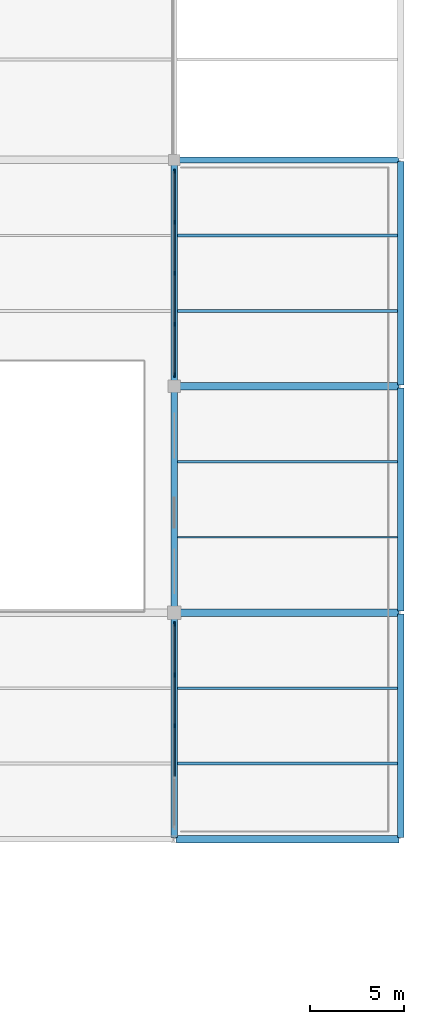
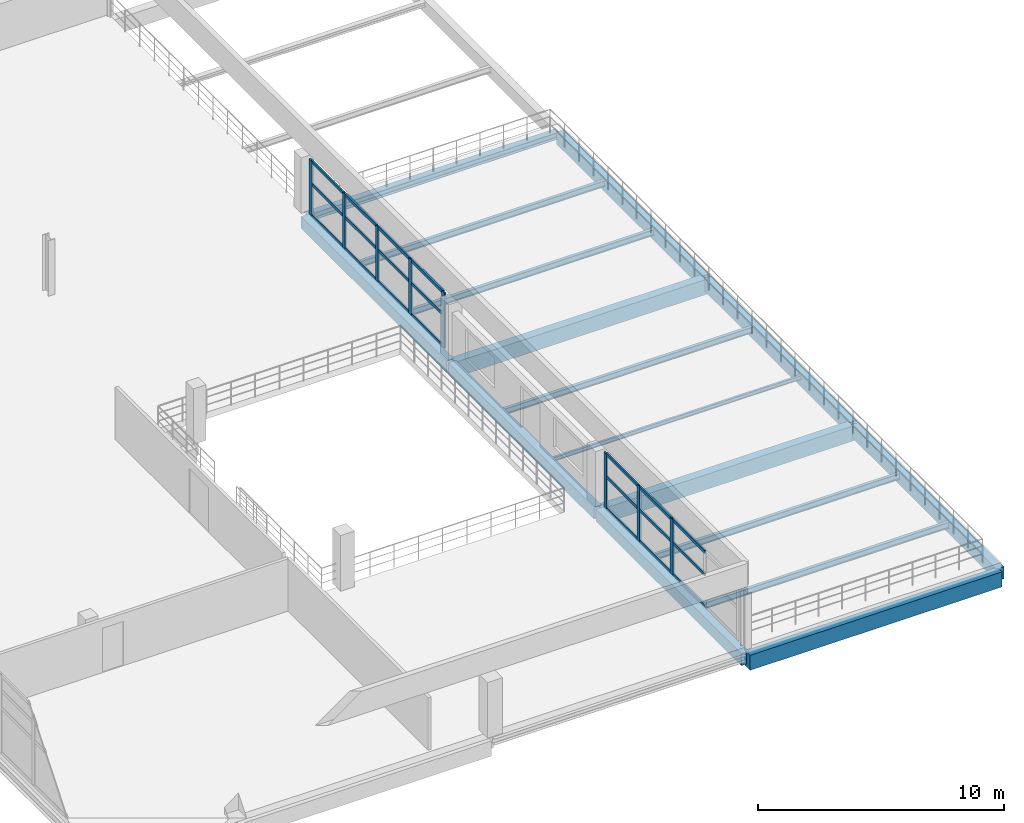
# One storey, part 48 of 89: 29 members, 16 beams, 2 elements without a shape of their own.
"""IFC4 building model written with IfcOpenShell, lengths in metres."""

from ifc_helpers import new_model, si_unit, direction, frame, origin, origin_2d, place, context, subcontext, project, spatial, rectangle, i_section, extrude, material, material_profile, profile_set, type_object, element, aggregate, save


model = new_model("IFC4")

# Units and contexts
model_context = context("Model", 3, precision=1e-05, world=origin(), true_north=direction((0.0, 1.0)))
body_context = subcontext(model_context, "Body", "Model", "MODEL_VIEW")
ifc_project = project(units=[si_unit("LENGTHUNIT", "METRE"), si_unit("AREAUNIT", "SQUARE_METRE"), si_unit("VOLUMEUNIT", "CUBIC_METRE"), si_unit("PLANEANGLEUNIT", "RADIAN"), si_unit("MASSUNIT", "GRAM", prefix="KILO"), si_unit("THERMODYNAMICTEMPERATUREUNIT", "KELVIN"), si_unit("POWERUNIT", "WATT")], contexts=[model_context])

# Site, building, storey
site_placement = place(None, origin())
site = spatial("IfcSite", under=ifc_project, at=site_placement, CompositionType="ELEMENT")
building_placement = place(site_placement, origin())
building = spatial("IfcBuilding", under=site, at=building_placement, Name="Solmara Park Aquatics Centre", CompositionType="ELEMENT")
storey_placement = place(building_placement, frame((0.0, 0.0, 5.39990234375)))
storey = spatial("IfcBuildingStorey", under=building, at=storey_placement, Name="L01", CompositionType="ELEMENT", Elevation=5.39990234375)

# Curtain wall, members
ifc_material_1 = material(Name="Anodised Aluminium Curtain Wall Framing", Category="aluminium")
curtain_wall_type = type_object("IfcCurtainWallType", Name="ARC-CW-SYS06", PredefinedType="USERDEFINED", material=ifc_material_1)
curtain_wall_1_placement = place(storey_placement, origin())
curtain_wall_1 = element("IfcCurtainWall", 1, at=curtain_wall_1_placement, inside=storey, type_object=curtain_wall_type, Name="Curtain Wall CW-092", ObjectType="CURTAIN WALL", PredefinedType="USERDEFINED")
ifc_material_2 = material(Name="Anodised Aluminium Alloy 6063-T6", Category="aluminium")
ifc_material_profile_1 = material_profile(ifc_material_2, rectangle(XDim=0.074951171875, YDim=0.219970703125, at=origin_2d()), Name="ALU MULLION 75x220")
ifc_profile_set_1 = profile_set([ifc_material_profile_1], Name="Anodised Aluminium Alloy 6063-T6")
member_type_1 = type_object("IfcMemberType", Name="ARC-CWM-75x220", PredefinedType="MULLION", material=ifc_profile_set_1)
member_1_placement = place(storey_placement, frame((192.0, 30.60009765625, 0.0), z_axis=(0.0, 0.0, 1.0), x_axis=(1.0, 0.0, 0.0)))
member_1 = element("IfcMember", 2, at=member_1_placement, type_object=member_type_1, Name="CW-092 mullion 3", PredefinedType="MULLION", context=body_context, shape_type="SweptSolid", body=[
    extrude(rectangle(XDim=0.074951171875, YDim=0.219970703125, at=origin_2d()), origin(), (0.0, 0.0, 1.0), 2.75),
])
member_2_placement = place(storey_placement, frame((192.0, 33.300048828125, 0.0), z_axis=(0.0, 0.0, 1.0), x_axis=(1.0, 0.0, 0.0)))
member_2 = element("IfcMember", 3, at=member_2_placement, type_object=member_type_1, Name="CW-092 mullion 4", PredefinedType="MULLION", context=body_context, shape_type="SweptSolid", body=[
    extrude(rectangle(XDim=0.074951171875, YDim=0.219970703125, at=origin_2d()), origin(), (0.0, 0.0, 1.0), 2.75),
])
member_3_placement = place(storey_placement, frame((192.0, 36.0, 0.0), z_axis=(0.0, 0.0, 1.0), x_axis=(1.0, 0.0, 0.0)))
member_3 = element("IfcMember", 4, at=member_3_placement, type_object=member_type_1, Name="CW-092 mullion 5", PredefinedType="MULLION", context=body_context, shape_type="SweptSolid", body=[
    extrude(rectangle(XDim=0.074951171875, YDim=0.219970703125, at=origin_2d()), origin(), (0.0, 0.0, 1.0), 2.75),
])

curtain_wall_2_placement = place(storey_placement, origin())
curtain_wall_2 = element("IfcCurtainWall", 5, at=curtain_wall_2_placement, inside=storey, type_object=curtain_wall_type, Name="Curtain Wall CW-094", ObjectType="CURTAIN WALL", PredefinedType="USERDEFINED")
member_4_placement = place(storey_placement, frame((192.0, 49.199951171875, 0.0), z_axis=(0.0, 0.0, 1.0), x_axis=(1.0, 0.0, 0.0)))
member_4 = element("IfcMember", 6, at=member_4_placement, type_object=member_type_1, Name="CW-094 mullion 1", PredefinedType="MULLION", context=body_context, shape_type="SweptSolid", body=[
    extrude(rectangle(XDim=0.074951171875, YDim=0.219970703125, at=origin_2d()), origin(), (0.0, 0.0, 1.0), 2.75),
])
member_5_placement = place(storey_placement, frame((192.0, 51.89990234375, 0.0), z_axis=(0.0, 0.0, 1.0), x_axis=(1.0, 0.0, 0.0)))
member_5 = element("IfcMember", 7, at=member_5_placement, type_object=member_type_1, Name="CW-094 mullion 2", PredefinedType="MULLION", context=body_context, shape_type="SweptSolid", body=[
    extrude(rectangle(XDim=0.074951171875, YDim=0.219970703125, at=origin_2d()), origin(), (0.0, 0.0, 1.0), 2.75),
])
member_6_placement = place(storey_placement, frame((192.0, 54.60009765625, 0.0), z_axis=(0.0, 0.0, 1.0), x_axis=(1.0, 0.0, 0.0)))
member_6 = element("IfcMember", 8, at=member_6_placement, type_object=member_type_1, Name="CW-094 mullion 3", PredefinedType="MULLION", context=body_context, shape_type="SweptSolid", body=[
    extrude(rectangle(XDim=0.074951171875, YDim=0.219970703125, at=origin_2d()), origin(), (0.0, 0.0, 1.0), 2.75),
])
member_7_placement = place(storey_placement, frame((192.0, 57.300048828125, 0.0), z_axis=(0.0, 0.0, 1.0), x_axis=(1.0, 0.0, 0.0)))
member_7 = element("IfcMember", 9, at=member_7_placement, type_object=member_type_1, Name="CW-094 mullion 4", PredefinedType="MULLION", context=body_context, shape_type="SweptSolid", body=[
    extrude(rectangle(XDim=0.074951171875, YDim=0.219970703125, at=origin_2d()), origin(), (0.0, 0.0, 1.0), 2.75),
])
member_8_placement = place(storey_placement, frame((192.0, 60.0, 0.0), z_axis=(0.0, 0.0, 1.0), x_axis=(1.0, 0.0, 0.0)))
member_8 = element("IfcMember", 10, at=member_8_placement, type_object=member_type_1, Name="CW-094 mullion 5", PredefinedType="MULLION", context=body_context, shape_type="SweptSolid", body=[
    extrude(rectangle(XDim=0.074951171875, YDim=0.219970703125, at=origin_2d()), origin(), (0.0, 0.0, 1.0), 2.75),
])

# Member
ifc_material_profile_2 = material_profile(ifc_material_2, rectangle(XDim=0.074951171875, YDim=0.14990234375, at=origin_2d()), Name="ALU TRANSOM 75x150")
ifc_profile_set_2 = profile_set([ifc_material_profile_2], Name="Anodised Aluminium Alloy 6063-T6")
member_type_2 = type_object("IfcMemberType", Name="ARC-CWT-75x150", PredefinedType="USERDEFINED", material=ifc_profile_set_2)
member_9_placement = place(storey_placement, frame((192.0, 27.919921875, 0.0400390625), z_axis=(0.0, 1.0, 0.0), x_axis=(-1.0, 0.0, 0.0)))
member_9 = element("IfcMember", 11, at=member_9_placement, type_object=member_type_2, Name="CW-092 transom 4", ObjectType="TRANSOM", PredefinedType="USERDEFINED", context=body_context, shape_type="SweptSolid", body=[
    extrude(rectangle(XDim=0.074951171875, YDim=0.14990234375, at=origin_2d()), origin(), (0.0, 0.0, 1.0), 2.6201171875),
])

member_10_placement = place(storey_placement, frame((192.0, 27.919921875, 1.59521484375), z_axis=(0.0, 1.0, 0.0), x_axis=(-1.0, 0.0, 0.0)))
member_10 = element("IfcMember", 12, at=member_10_placement, type_object=member_type_2, Name="CW-092 transom 5", ObjectType="TRANSOM", PredefinedType="USERDEFINED", context=body_context, shape_type="SweptSolid", body=[
    extrude(rectangle(XDim=0.074951171875, YDim=0.14990234375, at=origin_2d()), origin(), (0.0, 0.0, 1.0), 2.6201171875),
])

member_11_placement = place(storey_placement, frame((192.0, 27.919921875, 2.710205078125), z_axis=(0.0, 1.0, 0.0), x_axis=(-1.0, 0.0, 0.0)))
member_11 = element("IfcMember", 13, at=member_11_placement, type_object=member_type_2, Name="CW-092 transom 6", ObjectType="TRANSOM", PredefinedType="USERDEFINED", context=body_context, shape_type="SweptSolid", body=[
    extrude(rectangle(XDim=0.074951171875, YDim=0.14990234375, at=origin_2d()), origin(), (0.0, 0.0, 1.0), 2.6201171875),
])

member_12_placement = place(storey_placement, frame((192.0, 30.6201171875, 0.0400390625), z_axis=(0.0, 1.0, 0.0), x_axis=(-1.0, 0.0, 0.0)))
member_12 = element("IfcMember", 14, at=member_12_placement, type_object=member_type_2, Name="CW-092 transom 7", ObjectType="TRANSOM", PredefinedType="USERDEFINED", context=body_context, shape_type="SweptSolid", body=[
    extrude(rectangle(XDim=0.074951171875, YDim=0.14990234375, at=origin_2d()), origin(), (0.0, 0.0, 1.0), 2.619873046875),
])

member_13_placement = place(storey_placement, frame((192.0, 30.6201171875, 1.59521484375), z_axis=(0.0, 1.0, 0.0), x_axis=(-1.0, 0.0, 0.0)))
member_13 = element("IfcMember", 15, at=member_13_placement, type_object=member_type_2, Name="CW-092 transom 8", ObjectType="TRANSOM", PredefinedType="USERDEFINED", context=body_context, shape_type="SweptSolid", body=[
    extrude(rectangle(XDim=0.074951171875, YDim=0.14990234375, at=origin_2d()), origin(), (0.0, 0.0, 1.0), 2.619873046875),
])

member_14_placement = place(storey_placement, frame((192.0, 30.6201171875, 2.710205078125), z_axis=(0.0, 1.0, 0.0), x_axis=(-1.0, 0.0, 0.0)))
member_14 = element("IfcMember", 16, at=member_14_placement, type_object=member_type_2, Name="CW-092 transom 9", ObjectType="TRANSOM", PredefinedType="USERDEFINED", context=body_context, shape_type="SweptSolid", body=[
    extrude(rectangle(XDim=0.074951171875, YDim=0.14990234375, at=origin_2d()), origin(), (0.0, 0.0, 1.0), 2.619873046875),
])

member_15_placement = place(storey_placement, frame((192.0, 33.320068359375, 0.0400390625), z_axis=(0.0, 1.0, 0.0), x_axis=(-1.0, 0.0, 0.0)))
member_15 = element("IfcMember", 17, at=member_15_placement, type_object=member_type_2, Name="CW-092 transom 10", ObjectType="TRANSOM", PredefinedType="USERDEFINED", context=body_context, shape_type="SweptSolid", body=[
    extrude(rectangle(XDim=0.074951171875, YDim=0.14990234375, at=origin_2d()), origin(), (0.0, 0.0, 1.0), 2.619873046875),
])

member_16_placement = place(storey_placement, frame((192.0, 33.320068359375, 1.59521484375), z_axis=(0.0, 1.0, 0.0), x_axis=(-1.0, 0.0, 0.0)))
member_16 = element("IfcMember", 18, at=member_16_placement, type_object=member_type_2, Name="CW-092 transom 11", ObjectType="TRANSOM", PredefinedType="USERDEFINED", context=body_context, shape_type="SweptSolid", body=[
    extrude(rectangle(XDim=0.074951171875, YDim=0.14990234375, at=origin_2d()), origin(), (0.0, 0.0, 1.0), 2.619873046875),
])

member_17_placement = place(storey_placement, frame((192.0, 33.320068359375, 2.710205078125), z_axis=(0.0, 1.0, 0.0), x_axis=(-1.0, 0.0, 0.0)))
member_17 = element("IfcMember", 19, at=member_17_placement, type_object=member_type_2, Name="CW-092 transom 12", ObjectType="TRANSOM", PredefinedType="USERDEFINED", context=body_context, shape_type="SweptSolid", body=[
    extrude(rectangle(XDim=0.074951171875, YDim=0.14990234375, at=origin_2d()), origin(), (0.0, 0.0, 1.0), 2.619873046875),
])

aggregate(curtain_wall_1, [member_1, member_2, member_3, member_9, member_10, member_11, member_12, member_13, member_14, member_15, member_16, member_17])

member_18_placement = place(storey_placement, frame((192.0, 49.219970703125, 0.0400390625), z_axis=(0.0, 1.0, 0.0), x_axis=(-1.0, 0.0, 0.0)))
member_18 = element("IfcMember", 20, at=member_18_placement, type_object=member_type_2, Name="CW-094 transom 1", ObjectType="TRANSOM", PredefinedType="USERDEFINED", context=body_context, shape_type="SweptSolid", body=[
    extrude(rectangle(XDim=0.074951171875, YDim=0.14990234375, at=origin_2d()), origin(), (0.0, 0.0, 1.0), 2.6201171875),
])

member_19_placement = place(storey_placement, frame((192.0, 49.219970703125, 1.59521484375), z_axis=(0.0, 1.0, 0.0), x_axis=(-1.0, 0.0, 0.0)))
member_19 = element("IfcMember", 21, at=member_19_placement, type_object=member_type_2, Name="CW-094 transom 2", ObjectType="TRANSOM", PredefinedType="USERDEFINED", context=body_context, shape_type="SweptSolid", body=[
    extrude(rectangle(XDim=0.074951171875, YDim=0.14990234375, at=origin_2d()), origin(), (0.0, 0.0, 1.0), 2.6201171875),
])

member_20_placement = place(storey_placement, frame((192.0, 49.219970703125, 2.710205078125), z_axis=(0.0, 1.0, 0.0), x_axis=(-1.0, 0.0, 0.0)))
member_20 = element("IfcMember", 22, at=member_20_placement, type_object=member_type_2, Name="CW-094 transom 3", ObjectType="TRANSOM", PredefinedType="USERDEFINED", context=body_context, shape_type="SweptSolid", body=[
    extrude(rectangle(XDim=0.074951171875, YDim=0.14990234375, at=origin_2d()), origin(), (0.0, 0.0, 1.0), 2.6201171875),
])

member_21_placement = place(storey_placement, frame((192.0, 51.919921875, 0.0400390625), z_axis=(0.0, 1.0, 0.0), x_axis=(-1.0, 0.0, 0.0)))
member_21 = element("IfcMember", 23, at=member_21_placement, type_object=member_type_2, Name="CW-094 transom 4", ObjectType="TRANSOM", PredefinedType="USERDEFINED", context=body_context, shape_type="SweptSolid", body=[
    extrude(rectangle(XDim=0.074951171875, YDim=0.14990234375, at=origin_2d()), origin(), (0.0, 0.0, 1.0), 2.6201171875),
])

member_22_placement = place(storey_placement, frame((192.0, 51.919921875, 1.59521484375), z_axis=(0.0, 1.0, 0.0), x_axis=(-1.0, 0.0, 0.0)))
member_22 = element("IfcMember", 24, at=member_22_placement, type_object=member_type_2, Name="CW-094 transom 5", ObjectType="TRANSOM", PredefinedType="USERDEFINED", context=body_context, shape_type="SweptSolid", body=[
    extrude(rectangle(XDim=0.074951171875, YDim=0.14990234375, at=origin_2d()), origin(), (0.0, 0.0, 1.0), 2.6201171875),
])

member_23_placement = place(storey_placement, frame((192.0, 51.919921875, 2.710205078125), z_axis=(0.0, 1.0, 0.0), x_axis=(-1.0, 0.0, 0.0)))
member_23 = element("IfcMember", 25, at=member_23_placement, type_object=member_type_2, Name="CW-094 transom 6", ObjectType="TRANSOM", PredefinedType="USERDEFINED", context=body_context, shape_type="SweptSolid", body=[
    extrude(rectangle(XDim=0.074951171875, YDim=0.14990234375, at=origin_2d()), origin(), (0.0, 0.0, 1.0), 2.6201171875),
])

member_24_placement = place(storey_placement, frame((192.0, 54.6201171875, 0.0400390625), z_axis=(0.0, 1.0, 0.0), x_axis=(-1.0, 0.0, 0.0)))
member_24 = element("IfcMember", 26, at=member_24_placement, type_object=member_type_2, Name="CW-094 transom 7", ObjectType="TRANSOM", PredefinedType="USERDEFINED", context=body_context, shape_type="SweptSolid", body=[
    extrude(rectangle(XDim=0.074951171875, YDim=0.14990234375, at=origin_2d()), origin(), (0.0, 0.0, 1.0), 2.619873046875),
])

member_25_placement = place(storey_placement, frame((192.0, 54.6201171875, 1.59521484375), z_axis=(0.0, 1.0, 0.0), x_axis=(-1.0, 0.0, 0.0)))
member_25 = element("IfcMember", 27, at=member_25_placement, type_object=member_type_2, Name="CW-094 transom 8", ObjectType="TRANSOM", PredefinedType="USERDEFINED", context=body_context, shape_type="SweptSolid", body=[
    extrude(rectangle(XDim=0.074951171875, YDim=0.14990234375, at=origin_2d()), origin(), (0.0, 0.0, 1.0), 2.619873046875),
])

member_26_placement = place(storey_placement, frame((192.0, 54.6201171875, 2.710205078125), z_axis=(0.0, 1.0, 0.0), x_axis=(-1.0, 0.0, 0.0)))
member_26 = element("IfcMember", 28, at=member_26_placement, type_object=member_type_2, Name="CW-094 transom 9", ObjectType="TRANSOM", PredefinedType="USERDEFINED", context=body_context, shape_type="SweptSolid", body=[
    extrude(rectangle(XDim=0.074951171875, YDim=0.14990234375, at=origin_2d()), origin(), (0.0, 0.0, 1.0), 2.619873046875),
])

member_27_placement = place(storey_placement, frame((192.0, 57.320068359375, 0.0400390625), z_axis=(0.0, 1.0, 0.0), x_axis=(-1.0, 0.0, 0.0)))
member_27 = element("IfcMember", 29, at=member_27_placement, type_object=member_type_2, Name="CW-094 transom 10", ObjectType="TRANSOM", PredefinedType="USERDEFINED", context=body_context, shape_type="SweptSolid", body=[
    extrude(rectangle(XDim=0.074951171875, YDim=0.14990234375, at=origin_2d()), origin(), (0.0, 0.0, 1.0), 2.619873046875),
])

member_28_placement = place(storey_placement, frame((192.0, 57.320068359375, 1.59521484375), z_axis=(0.0, 1.0, 0.0), x_axis=(-1.0, 0.0, 0.0)))
member_28 = element("IfcMember", 30, at=member_28_placement, type_object=member_type_2, Name="CW-094 transom 11", ObjectType="TRANSOM", PredefinedType="USERDEFINED", context=body_context, shape_type="SweptSolid", body=[
    extrude(rectangle(XDim=0.074951171875, YDim=0.14990234375, at=origin_2d()), origin(), (0.0, 0.0, 1.0), 2.619873046875),
])

member_29_placement = place(storey_placement, frame((192.0, 57.320068359375, 2.710205078125), z_axis=(0.0, 1.0, 0.0), x_axis=(-1.0, 0.0, 0.0)))
member_29 = element("IfcMember", 31, at=member_29_placement, type_object=member_type_2, Name="CW-094 transom 12", ObjectType="TRANSOM", PredefinedType="USERDEFINED", context=body_context, shape_type="SweptSolid", body=[
    extrude(rectangle(XDim=0.074951171875, YDim=0.14990234375, at=origin_2d()), origin(), (0.0, 0.0, 1.0), 2.619873046875),
])

aggregate(curtain_wall_2, [member_4, member_5, member_6, member_7, member_8, member_18, member_19, member_20, member_21, member_22, member_23, member_24, member_25, member_26, member_27, member_28, member_29])

# Beams
ifc_material_3 = material(Name="Structural Steel S355", Category="steel")
ifc_material_profile_3 = material_profile(ifc_material_3, i_section(OverallWidth=0.300048828125, OverallDepth=0.340087890625, WebThickness=0.011962890625, FlangeThickness=0.021484375, FilletRadius=0.027099609375, at=origin_2d()), Name="HEB 340")
ifc_profile_set_3 = profile_set([ifc_material_profile_3], Name="Structural Steel S355")
beam_type_1 = type_object("IfcBeamType", Name="STR-BM-HEB340", PredefinedType="BEAM", material=ifc_profile_set_3)
beam_1_placement = place(storey_placement, frame((192.080078125, 60.60009765625, -0.489990234375), z_axis=(1.0, 0.0, 0.0), x_axis=(0.0, 1.0, 0.0)))
element("IfcBeam", 32, at=beam_1_placement, inside=storey, type_object=beam_type_1, Name="Girder BM-L01-0240", PredefinedType="BEAM", context=body_context, shape_type="SweptSolid", body=[
    extrude(i_section(OverallWidth=0.300048828125, OverallDepth=0.340087890625, WebThickness=0.011962890625, FlangeThickness=0.021484375, FilletRadius=0.027099609375, at=origin_2d()), origin(), (0.0, 0.0, 1.0), 11.83984375),
])
ifc_material_4 = material(Name="Concrete C40/50", Category="concrete")
ifc_material_profile_4 = material_profile(ifc_material_4, rectangle(XDim=0.35009765625, YDim=0.60009765625, at=origin_2d()), Name="RC 350x600")
ifc_profile_set_4 = profile_set([ifc_material_profile_4], Name="Concrete C40/50")
beam_type_2 = type_object("IfcBeamType", Name="STR-BM-RC350x600", PredefinedType="BEAM", material=ifc_profile_set_4)
for number, where, z_axis, x_axis, name in (
    (33, (192.0, 24.679931640625, -0.619873046875), (0.0, 1.0, 0.0), (-1.0, 0.0, 0.0), "Girder BM-L01-0256"),
    (34, (192.0, 36.679931640625, -0.619873046875), (0.0, 1.0, 0.0), (-1.0, 0.0, 0.0), "Girder BM-L01-0257"),
    (35, (192.0, 48.679931640625, -0.619873046875), (0.0, 1.0, 0.0), (-1.0, 0.0, 0.0), "Girder BM-L01-0258"),
    (36, (204.0, 24.679931640625, -0.619873046875), (0.0, 1.0, 0.0), (-1.0, 0.0, 0.0), "Girder BM-L01-0260"),
    (37, (204.0, 36.679931640625, -0.619873046875), (0.0, 1.0, 0.0), (-1.0, 0.0, 0.0), "Girder BM-L01-0261"),
    (38, (204.0, 48.679931640625, -0.619873046875), (0.0, 1.0, 0.0), (-1.0, 0.0, 0.0), "Girder BM-L01-0262"),
):
    element("IfcBeam", number, at=place(storey_placement, frame(where, z_axis=z_axis, x_axis=x_axis)), inside=storey, type_object=beam_type_2, Name=name, PredefinedType="BEAM", context=body_context, shape_type="SweptSolid", body=[
        extrude(rectangle(XDim=0.35009765625, YDim=0.60009765625, at=origin_2d()), origin(), (0.0, 0.0, 1.0), 11.840087890625),
    ])
ifc_material_profile_5 = material_profile(ifc_material_4, rectangle(XDim=0.39990234375, YDim=0.75, at=origin_2d()), Name="RC 400x750")
ifc_profile_set_5 = profile_set([ifc_material_profile_5], Name="Concrete C40/50")
beam_type_3 = type_object("IfcBeamType", Name="STR-BM-RC400x750", PredefinedType="BEAM", material=ifc_profile_set_5)
for number, where, z_axis, x_axis, name in (
    (39, (192.080078125, 24.60009765625, -0.69482421875), (1.0, 0.0, 0.0), (0.0, 1.0, 0.0), "Girder BM-L01-0229"),
    (40, (192.080078125, 36.60009765625, -0.69482421875), (1.0, 0.0, 0.0), (0.0, 1.0, 0.0), "Girder BM-L01-0233"),
    (41, (192.080078125, 48.60009765625, -0.69482421875), (1.0, 0.0, 0.0), (0.0, 1.0, 0.0), "Girder BM-L01-0236"),
):
    element("IfcBeam", number, at=place(storey_placement, frame(where, z_axis=z_axis, x_axis=x_axis)), inside=storey, type_object=beam_type_3, Name=name, PredefinedType="BEAM", context=body_context, shape_type="SweptSolid", body=[
        extrude(rectangle(XDim=0.39990234375, YDim=0.75, at=origin_2d()), origin(), (0.0, 0.0, 1.0), 11.83984375),
    ])
ifc_material_profile_6 = material_profile(ifc_material_3, i_section(OverallWidth=0.10009765625, OverallDepth=0.199951171875, WebThickness=0.005615234375, FlangeThickness=0.008544921875, FilletRadius=0.011962890625, at=origin_2d()), Name="IPE 200")
ifc_profile_set_6 = profile_set([ifc_material_profile_6], Name="Structural Steel S355")
beam_type_4 = type_object("IfcBeamType", Name="STR-JST-IPE200", PredefinedType="JOIST", material=ifc_profile_set_6)
beam_2_placement = place(storey_placement, frame((192.175048828125, 40.60009765625, -0.419921875), z_axis=(1.0, 0.0, 0.0), x_axis=(0.0, 1.0, 0.0)))
element("IfcBeam", 42, at=beam_2_placement, inside=storey, type_object=beam_type_4, Name="Floor Joist JST-L01-0154", PredefinedType="JOIST", context=body_context, shape_type="SweptSolid", body=[
    extrude(i_section(OverallWidth=0.10009765625, OverallDepth=0.199951171875, WebThickness=0.005615234375, FlangeThickness=0.008544921875, FilletRadius=0.011962890625, at=origin_2d()), origin(), (0.0, 0.0, 1.0), 11.64990234375),
])
ifc_material_profile_7 = material_profile(ifc_material_3, i_section(OverallWidth=0.14990234375, OverallDepth=0.300048828125, WebThickness=0.007080078125, FlangeThickness=0.0107421875, FilletRadius=0.014892578125, at=origin_2d()), Name="IPE 300")
ifc_profile_set_7 = profile_set([ifc_material_profile_7], Name="Structural Steel S355")
beam_type_5 = type_object("IfcBeamType", Name="STR-JST-IPE300", PredefinedType="JOIST", material=ifc_profile_set_7)
for number, where, z_axis, x_axis, name in (
    (43, (192.175048828125, 28.60009765625, -0.469970703125), (1.0, 0.0, 0.0), (0.0, 1.0, 0.0), "Floor Joist JST-L01-0152"),
    (44, (192.175048828125, 32.60009765625, -0.469970703125), (1.0, 0.0, 0.0), (0.0, 1.0, 0.0), "Floor Joist JST-L01-0153"),
    (45, (192.175048828125, 44.60009765625, -0.469970703125), (1.0, 0.0, 0.0), (0.0, 1.0, 0.0), "Floor Joist JST-L01-0155"),
    (46, (192.175048828125, 52.60009765625, -0.469970703125), (1.0, 0.0, 0.0), (0.0, 1.0, 0.0), "Floor Joist JST-L01-0156"),
    (47, (192.175048828125, 56.60009765625, -0.469970703125), (1.0, 0.0, 0.0), (0.0, 1.0, 0.0), "Floor Joist JST-L01-0157"),
):
    element("IfcBeam", number, at=place(storey_placement, frame(where, z_axis=z_axis, x_axis=x_axis)), inside=storey, type_object=beam_type_5, Name=name, PredefinedType="JOIST", context=body_context, shape_type="SweptSolid", body=[
        extrude(i_section(OverallWidth=0.14990234375, OverallDepth=0.300048828125, WebThickness=0.007080078125, FlangeThickness=0.0107421875, FilletRadius=0.014892578125, at=origin_2d()), origin(), (0.0, 0.0, 1.0), 11.64990234375),
    ])

save(model, "model.ifc")
